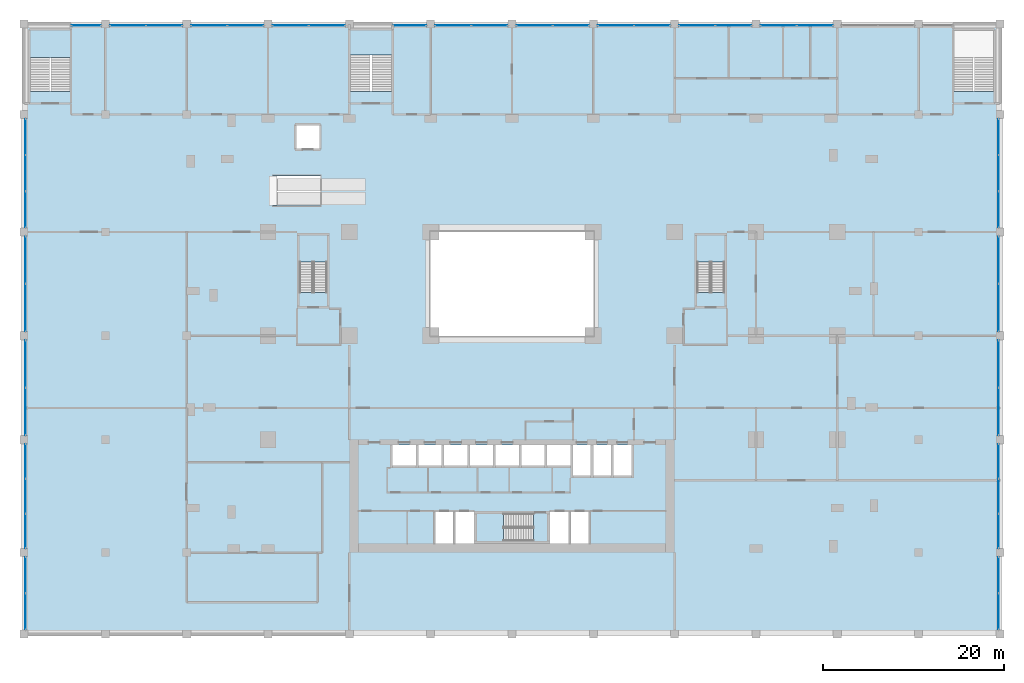
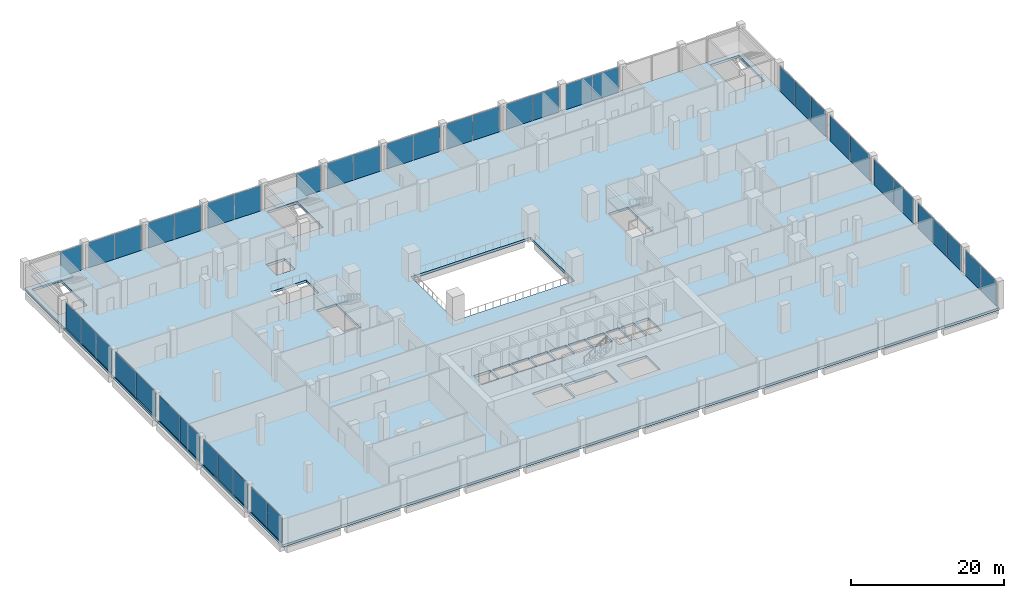
# One storey, part 13 of 22: 42 plates, 6 slabs, 25 elements without a shape of their own.
"""IFC4 building model written with IfcOpenShell, lengths in metres."""

from ifc_helpers import new_model, si_unit, direction, frame, origin, origin_2d, place, context, subcontext, project, spatial, polyline, rectangle, outline, extrude, material, layer, layer_set, type_object, element, aggregate, save


model = new_model("IFC4")

# Units and contexts
model_context = context("Model", 3, precision=1e-05, world=origin(), true_north=direction((0.0, 1.0)))
body_context = subcontext(model_context, "Body", "Model", "MODEL_VIEW")
ifc_project = project(units=[si_unit("LENGTHUNIT", "METRE"), si_unit("AREAUNIT", "SQUARE_METRE"), si_unit("VOLUMEUNIT", "CUBIC_METRE"), si_unit("PLANEANGLEUNIT", "RADIAN"), si_unit("MASSUNIT", "GRAM", prefix="KILO")], contexts=[model_context])

# Site, building, storey
site_placement = place(None, origin())
site = spatial("IfcSite", under=ifc_project, at=site_placement, CompositionType="ELEMENT")
building_placement = place(site_placement, origin())
building = spatial("IfcBuilding", under=site, at=building_placement, Name="Brigalow Station Residences", CompositionType="ELEMENT")
storey_placement = place(building_placement, frame((0.0, 0.0, 6.5)))
storey = spatial("IfcBuildingStorey", under=building, at=storey_placement, Name="L01", CompositionType="ELEMENT", Elevation=6.5)

# Curtain wall, plates
ifc_material_1 = material(Name="Aluminium", Category="aluminium")
ifc_layer_1 = layer(ifc_material_1, 0.199951171875)
ifc_layer_set_1 = layer_set([ifc_layer_1], Name="PODIUM UNITISED GLAZING CURTAIN WALL")
curtain_wall_type = type_object("IfcCurtainWallType", Name="PODIUM UNITISED GLAZING CURTAIN WALL", PredefinedType="NOTDEFINED", material=ifc_layer_set_1)
curtain_wall_1_placement = place(storey_placement, origin())
curtain_wall_1 = element("IfcCurtainWall", 1, at=curtain_wall_1_placement, inside=storey, type_object=curtain_wall_type, Name="L01/cw/podium-W-L01-13-1", PredefinedType="NOTDEFINED")
ifc_material_2 = material(Name="Laminated low-emissivity double-glazed unit")
ifc_layer_2 = layer(ifc_material_2, 0.0400390625)
ifc_layer_set_2 = layer_set([ifc_layer_2], Name="PODIUM UNITISED GLAZING PANEL 40")
plate_type = type_object("IfcPlateType", Name="PODIUM UNITISED GLAZING PANEL 40", PredefinedType="CURTAIN_PANEL", material=ifc_layer_set_2)
plate_1_placement = place(storey_placement, frame((89.85009765625, -6.5087890625, 0.0), z_axis=(0.0, 0.0, 1.0), x_axis=(0.0, 1.0, 0.0)))
plate_1 = element("IfcPlate", 2, at=plate_1_placement, type_object=plate_type, Name="L01/cw/podium-W-L01-13-1/P00-00", PredefinedType="CURTAIN_PANEL", context=body_context, shape_type="SweptSolid", body=[
    extrude(rectangle(XDim=3.952392578125, YDim=0.0400390625, at=origin_2d()), origin(), (0.0, 0.0, 1.0), 4.032958984375),
])
plate_2_placement = place(storey_placement, frame((89.85009765625, -2.4912109375, 0.0), z_axis=(0.0, 0.0, 1.0), x_axis=(0.0, 1.0, 0.0)))
plate_2 = element("IfcPlate", 3, at=plate_2_placement, type_object=plate_type, Name="L01/cw/podium-W-L01-13-1/P01-00", PredefinedType="CURTAIN_PANEL", context=body_context, shape_type="SweptSolid", body=[
    extrude(rectangle(XDim=3.952392578125, YDim=0.0400390625, at=origin_2d()), origin(), (0.0, 0.0, 1.0), 4.032958984375),
])
aggregate(curtain_wall_1, [plate_1, plate_2])

curtain_wall_2_placement = place(storey_placement, origin())
curtain_wall_2 = element("IfcCurtainWall", 4, at=curtain_wall_2_placement, inside=storey, type_object=curtain_wall_type, Name="L01/cw/podium-W-L01-13-2", PredefinedType="NOTDEFINED")
plate_3_placement = place(storey_placement, frame((89.85009765625, 2.399658203125, 0.0), z_axis=(0.0, 0.0, 1.0), x_axis=(0.0, 1.0, 0.0)))
plate_3 = element("IfcPlate", 5, at=plate_3_placement, type_object=plate_type, Name="L01/cw/podium-W-L01-13-2/P00-00", PredefinedType="CURTAIN_PANEL", context=body_context, shape_type="SweptSolid", body=[
    extrude(rectangle(XDim=3.769287109375, YDim=0.0400390625, at=origin_2d()), origin(), (0.0, 0.0, 1.0), 4.032958984375),
])
plate_4_placement = place(storey_placement, frame((89.85009765625, 6.25, 0.0), z_axis=(0.0, 0.0, 1.0), x_axis=(0.0, 1.0, 0.0)))
plate_4 = element("IfcPlate", 6, at=plate_4_placement, type_object=plate_type, Name="L01/cw/podium-W-L01-13-2/P01-00", PredefinedType="CURTAIN_PANEL", context=body_context, shape_type="SweptSolid", body=[
    extrude(rectangle(XDim=3.8017578125, YDim=0.0400390625, at=origin_2d()), origin(), (0.0, 0.0, 1.0), 4.032958984375),
])
plate_5_placement = place(storey_placement, frame((89.85009765625, 10.100341796875, 0.0), z_axis=(0.0, 0.0, 1.0), x_axis=(0.0, 1.0, 0.0)))
plate_5 = element("IfcPlate", 7, at=plate_5_placement, type_object=plate_type, Name="L01/cw/podium-W-L01-13-2/P02-00", PredefinedType="CURTAIN_PANEL", context=body_context, shape_type="SweptSolid", body=[
    extrude(rectangle(XDim=3.769287109375, YDim=0.0400390625, at=origin_2d()), origin(), (0.0, 0.0, 1.0), 4.032958984375),
])
aggregate(curtain_wall_2, [plate_3, plate_4, plate_5])

curtain_wall_3_placement = place(storey_placement, origin())
curtain_wall_3 = element("IfcCurtainWall", 8, at=curtain_wall_3_placement, inside=storey, type_object=curtain_wall_type, Name="L01/cw/podium-W-L01-13-3", PredefinedType="NOTDEFINED")
plate_6_placement = place(storey_placement, frame((89.85009765625, 15.6162109375, 0.0), z_axis=(0.0, 0.0, 1.0), x_axis=(0.0, 1.0, 0.0)))
plate_6 = element("IfcPlate", 9, at=plate_6_placement, type_object=plate_type, Name="L01/cw/podium-W-L01-13-3/P00-00", PredefinedType="CURTAIN_PANEL", context=body_context, shape_type="SweptSolid", body=[
    extrude(rectangle(XDim=5.202392578125, YDim=0.0400390625, at=origin_2d()), origin(), (0.0, 0.0, 1.0), 4.032958984375),
])
plate_7_placement = place(storey_placement, frame((89.85009765625, 20.8837890625, 0.0), z_axis=(0.0, 0.0, 1.0), x_axis=(0.0, 1.0, 0.0)))
plate_7 = element("IfcPlate", 10, at=plate_7_placement, type_object=plate_type, Name="L01/cw/podium-W-L01-13-3/P01-00", PredefinedType="CURTAIN_PANEL", context=body_context, shape_type="SweptSolid", body=[
    extrude(rectangle(XDim=5.202392578125, YDim=0.0400390625, at=origin_2d()), origin(), (0.0, 0.0, 1.0), 4.032958984375),
])
aggregate(curtain_wall_3, [plate_6, plate_7])

curtain_wall_4_placement = place(storey_placement, origin())
curtain_wall_4 = element("IfcCurtainWall", 11, at=curtain_wall_4_placement, inside=storey, type_object=curtain_wall_type, Name="L01/cw/podium-W-L01-13-4", PredefinedType="NOTDEFINED")
plate_8_placement = place(storey_placement, frame((89.85009765625, 27.1162109375, 0.0), z_axis=(0.0, 0.0, 1.0), x_axis=(0.0, 1.0, 0.0)))
plate_8 = element("IfcPlate", 12, at=plate_8_placement, type_object=plate_type, Name="L01/cw/podium-W-L01-13-4/P00-00", PredefinedType="CURTAIN_PANEL", context=body_context, shape_type="SweptSolid", body=[
    extrude(rectangle(XDim=5.202392578125, YDim=0.0400390625, at=origin_2d()), origin(), (0.0, 0.0, 1.0), 4.032958984375),
])
plate_9_placement = place(storey_placement, frame((89.85009765625, 32.3837890625, 0.0), z_axis=(0.0, 0.0, 1.0), x_axis=(0.0, 1.0, 0.0)))
plate_9 = element("IfcPlate", 13, at=plate_9_placement, type_object=plate_type, Name="L01/cw/podium-W-L01-13-4/P01-00", PredefinedType="CURTAIN_PANEL", context=body_context, shape_type="SweptSolid", body=[
    extrude(rectangle(XDim=5.202392578125, YDim=0.0400390625, at=origin_2d()), origin(), (0.0, 0.0, 1.0), 4.032958984375),
])
aggregate(curtain_wall_4, [plate_8, plate_9])

curtain_wall_5_placement = place(storey_placement, origin())
curtain_wall_5 = element("IfcCurtainWall", 14, at=curtain_wall_5_placement, inside=storey, type_object=curtain_wall_type, Name="L01/cw/podium-W-L01-13-5", PredefinedType="NOTDEFINED")
plate_10_placement = place(storey_placement, frame((89.85009765625, 37.98291015625, 0.0), z_axis=(0.0, 0.0, 1.0), x_axis=(0.0, 1.0, 0.0)))
plate_10 = element("IfcPlate", 15, at=plate_10_placement, type_object=plate_type, Name="L01/cw/podium-W-L01-13-5/P00-00", PredefinedType="CURTAIN_PANEL", context=body_context, shape_type="SweptSolid", body=[
    extrude(rectangle(XDim=3.935791015625, YDim=0.0400390625, at=origin_2d()), origin(), (0.0, 0.0, 1.0), 4.032958984375),
])
plate_11_placement = place(storey_placement, frame((89.85009765625, 42.0, 0.0), z_axis=(0.0, 0.0, 1.0), x_axis=(0.0, 1.0, 0.0)))
plate_11 = element("IfcPlate", 16, at=plate_11_placement, type_object=plate_type, Name="L01/cw/podium-W-L01-13-5/P01-00", PredefinedType="CURTAIN_PANEL", context=body_context, shape_type="SweptSolid", body=[
    extrude(rectangle(XDim=3.96826171875, YDim=0.0400390625, at=origin_2d()), origin(), (0.0, 0.0, 1.0), 4.032958984375),
])
plate_12_placement = place(storey_placement, frame((89.85009765625, 46.01708984375, 0.0), z_axis=(0.0, 0.0, 1.0), x_axis=(0.0, 1.0, 0.0)))
plate_12 = element("IfcPlate", 17, at=plate_12_placement, type_object=plate_type, Name="L01/cw/podium-W-L01-13-5/P02-00", PredefinedType="CURTAIN_PANEL", context=body_context, shape_type="SweptSolid", body=[
    extrude(rectangle(XDim=3.935791015625, YDim=0.0400390625, at=origin_2d()), origin(), (0.0, 0.0, 1.0), 4.032958984375),
])
aggregate(curtain_wall_5, [plate_10, plate_11, plate_12])

curtain_wall_6_placement = place(storey_placement, origin())
curtain_wall_6 = element("IfcCurtainWall", 18, at=curtain_wall_6_placement, inside=storey, type_object=curtain_wall_type, Name="L01/cw/podium-W-L01-19-8", PredefinedType="NOTDEFINED")
plate_13_placement = place(storey_placement, frame((69.5087890625, 58.35009765625, 0.0), z_axis=(0.0, 0.0, 1.0), x_axis=(-1.0, 0.0, 0.0)))
plate_13 = element("IfcPlate", 19, at=plate_13_placement, type_object=plate_type, Name="L01/cw/podium-W-L01-19-8/P00-00", PredefinedType="CURTAIN_PANEL", context=body_context, shape_type="SweptSolid", body=[
    extrude(rectangle(XDim=3.952392578125, YDim=0.0400390625, at=origin_2d()), origin(), (0.0, 0.0, 1.0), 4.032958984375),
])
plate_14_placement = place(storey_placement, frame((65.4912109375, 58.35009765625, 0.0), z_axis=(0.0, 0.0, 1.0), x_axis=(-1.0, 0.0, 0.0)))
plate_14 = element("IfcPlate", 20, at=plate_14_placement, type_object=plate_type, Name="L01/cw/podium-W-L01-19-8/P01-00", PredefinedType="CURTAIN_PANEL", context=body_context, shape_type="SweptSolid", body=[
    extrude(rectangle(XDim=3.952392578125, YDim=0.0400390625, at=origin_2d()), origin(), (0.0, 0.0, 1.0), 4.032958984375),
])
aggregate(curtain_wall_6, [plate_13, plate_14])

curtain_wall_7_placement = place(storey_placement, origin())
curtain_wall_7 = element("IfcCurtainWall", 21, at=curtain_wall_7_placement, inside=storey, type_object=curtain_wall_type, Name="L01/cw/podium-W-L01-19-9", PredefinedType="NOTDEFINED")
plate_15_placement = place(storey_placement, frame((60.5087890625, 58.35009765625, 0.0), z_axis=(0.0, 0.0, 1.0), x_axis=(-1.0, 0.0, 0.0)))
plate_15 = element("IfcPlate", 22, at=plate_15_placement, type_object=plate_type, Name="L01/cw/podium-W-L01-19-9/P00-00", PredefinedType="CURTAIN_PANEL", context=body_context, shape_type="SweptSolid", body=[
    extrude(rectangle(XDim=3.952392578125, YDim=0.0400390625, at=origin_2d()), origin(), (0.0, 0.0, 1.0), 4.032958984375),
])
plate_16_placement = place(storey_placement, frame((56.4912109375, 58.35009765625, 0.0), z_axis=(0.0, 0.0, 1.0), x_axis=(-1.0, 0.0, 0.0)))
plate_16 = element("IfcPlate", 23, at=plate_16_placement, type_object=plate_type, Name="L01/cw/podium-W-L01-19-9/P01-00", PredefinedType="CURTAIN_PANEL", context=body_context, shape_type="SweptSolid", body=[
    extrude(rectangle(XDim=3.952392578125, YDim=0.0400390625, at=origin_2d()), origin(), (0.0, 0.0, 1.0), 4.032958984375),
])
aggregate(curtain_wall_7, [plate_15, plate_16])

curtain_wall_8_placement = place(storey_placement, origin())
curtain_wall_8 = element("IfcCurtainWall", 24, at=curtain_wall_8_placement, inside=storey, type_object=curtain_wall_type, Name="L01/cw/podium-W-L01-19-10", PredefinedType="NOTDEFINED")
plate_17_placement = place(storey_placement, frame((51.5087890625, 58.35009765625, 0.0), z_axis=(0.0, 0.0, 1.0), x_axis=(-1.0, 0.0, 0.0)))
plate_17 = element("IfcPlate", 25, at=plate_17_placement, type_object=plate_type, Name="L01/cw/podium-W-L01-19-10/P00-00", PredefinedType="CURTAIN_PANEL", context=body_context, shape_type="SweptSolid", body=[
    extrude(rectangle(XDim=3.952392578125, YDim=0.0400390625, at=origin_2d()), origin(), (0.0, 0.0, 1.0), 4.032958984375),
])
plate_18_placement = place(storey_placement, frame((47.4912109375, 58.35009765625, 0.0), z_axis=(0.0, 0.0, 1.0), x_axis=(-1.0, 0.0, 0.0)))
plate_18 = element("IfcPlate", 26, at=plate_18_placement, type_object=plate_type, Name="L01/cw/podium-W-L01-19-10/P01-00", PredefinedType="CURTAIN_PANEL", context=body_context, shape_type="SweptSolid", body=[
    extrude(rectangle(XDim=3.952392578125, YDim=0.0400390625, at=origin_2d()), origin(), (0.0, 0.0, 1.0), 4.032958984375),
])
aggregate(curtain_wall_8, [plate_17, plate_18])

curtain_wall_9_placement = place(storey_placement, origin())
curtain_wall_9 = element("IfcCurtainWall", 27, at=curtain_wall_9_placement, inside=storey, type_object=curtain_wall_type, Name="L01/cw/podium-W-L01-19-11", PredefinedType="NOTDEFINED")
plate_19_placement = place(storey_placement, frame((42.5087890625, 58.35009765625, 0.0), z_axis=(0.0, 0.0, 1.0), x_axis=(-1.0, 0.0, 0.0)))
plate_19 = element("IfcPlate", 28, at=plate_19_placement, type_object=plate_type, Name="L01/cw/podium-W-L01-19-11/P00-00", PredefinedType="CURTAIN_PANEL", context=body_context, shape_type="SweptSolid", body=[
    extrude(rectangle(XDim=3.952392578125, YDim=0.0400390625, at=origin_2d()), origin(), (0.0, 0.0, 1.0), 4.032958984375),
])
plate_20_placement = place(storey_placement, frame((38.4912109375, 58.35009765625, 0.0), z_axis=(0.0, 0.0, 1.0), x_axis=(-1.0, 0.0, 0.0)))
plate_20 = element("IfcPlate", 29, at=plate_20_placement, type_object=plate_type, Name="L01/cw/podium-W-L01-19-11/P01-00", PredefinedType="CURTAIN_PANEL", context=body_context, shape_type="SweptSolid", body=[
    extrude(rectangle(XDim=3.952392578125, YDim=0.0400390625, at=origin_2d()), origin(), (0.0, 0.0, 1.0), 4.032958984375),
])
aggregate(curtain_wall_9, [plate_19, plate_20])

curtain_wall_10_placement = place(storey_placement, origin())
curtain_wall_10 = element("IfcCurtainWall", 30, at=curtain_wall_10_placement, inside=storey, type_object=curtain_wall_type, Name="L01/cw/podium-W-L01-19-12", PredefinedType="NOTDEFINED")
plate_21_placement = place(storey_placement, frame((33.5087890625, 58.35009765625, 0.0), z_axis=(0.0, 0.0, 1.0), x_axis=(-1.0, 0.0, 0.0)))
plate_21 = element("IfcPlate", 31, at=plate_21_placement, type_object=plate_type, Name="L01/cw/podium-W-L01-19-12/P00-00", PredefinedType="CURTAIN_PANEL", context=body_context, shape_type="SweptSolid", body=[
    extrude(rectangle(XDim=3.952392578125, YDim=0.0400390625, at=origin_2d()), origin(), (0.0, 0.0, 1.0), 4.032958984375),
])
plate_22_placement = place(storey_placement, frame((29.4912109375, 58.35009765625, 0.0), z_axis=(0.0, 0.0, 1.0), x_axis=(-1.0, 0.0, 0.0)))
plate_22 = element("IfcPlate", 32, at=plate_22_placement, type_object=plate_type, Name="L01/cw/podium-W-L01-19-12/P01-00", PredefinedType="CURTAIN_PANEL", context=body_context, shape_type="SweptSolid", body=[
    extrude(rectangle(XDim=3.952392578125, YDim=0.0400390625, at=origin_2d()), origin(), (0.0, 0.0, 1.0), 4.032958984375),
])
aggregate(curtain_wall_10, [plate_21, plate_22])

# Curtain wall, plate
curtain_wall_11_placement = place(storey_placement, origin())
curtain_wall_11 = element("IfcCurtainWall", 33, at=curtain_wall_11_placement, inside=storey, type_object=curtain_wall_type, Name="L01/cw/podium-W-L01-19-13", PredefinedType="NOTDEFINED")
plate_23_placement = place(storey_placement, frame((24.675048828125, 58.35009765625, 0.0), z_axis=(0.0, 0.0, 1.0), x_axis=(-1.0, 0.0, 0.0)))
plate_23 = element("IfcPlate", 34, at=plate_23_placement, type_object=plate_type, Name="L01/cw/podium-W-L01-19-13/P00-00", PredefinedType="CURTAIN_PANEL", context=body_context, shape_type="SweptSolid", body=[
    extrude(rectangle(XDim=3.6201171875, YDim=0.0400390625, at=origin_2d()), origin(), (0.0, 0.0, 1.0), 4.032958984375),
])
aggregate(curtain_wall_11, [plate_23])

# Curtain wall, plates
curtain_wall_12_placement = place(storey_placement, origin())
curtain_wall_12 = element("IfcCurtainWall", 35, at=curtain_wall_12_placement, inside=storey, type_object=curtain_wall_type, Name="L01/cw/podium-W-L01-19-14", PredefinedType="NOTDEFINED")
plate_24_placement = place(storey_placement, frame((15.5087890625, 58.35009765625, 0.0), z_axis=(0.0, 0.0, 1.0), x_axis=(-1.0, 0.0, 0.0)))
plate_24 = element("IfcPlate", 36, at=plate_24_placement, type_object=plate_type, Name="L01/cw/podium-W-L01-19-14/P00-00", PredefinedType="CURTAIN_PANEL", context=body_context, shape_type="SweptSolid", body=[
    extrude(rectangle(XDim=3.952392578125, YDim=0.0400390625, at=origin_2d()), origin(), (0.0, 0.0, 1.0), 4.032958984375),
])
plate_25_placement = place(storey_placement, frame((11.4912109375, 58.35009765625, 0.0), z_axis=(0.0, 0.0, 1.0), x_axis=(-1.0, 0.0, 0.0)))
plate_25 = element("IfcPlate", 37, at=plate_25_placement, type_object=plate_type, Name="L01/cw/podium-W-L01-19-14/P01-00", PredefinedType="CURTAIN_PANEL", context=body_context, shape_type="SweptSolid", body=[
    extrude(rectangle(XDim=3.952392578125, YDim=0.0400390625, at=origin_2d()), origin(), (0.0, 0.0, 1.0), 4.032958984375),
])
aggregate(curtain_wall_12, [plate_24, plate_25])

curtain_wall_13_placement = place(storey_placement, origin())
curtain_wall_13 = element("IfcCurtainWall", 38, at=curtain_wall_13_placement, inside=storey, type_object=curtain_wall_type, Name="L01/cw/podium-W-L01-19-15", PredefinedType="NOTDEFINED")
plate_26_placement = place(storey_placement, frame((6.5087890625, 58.35009765625, 0.0), z_axis=(0.0, 0.0, 1.0), x_axis=(-1.0, 0.0, 0.0)))
plate_26 = element("IfcPlate", 39, at=plate_26_placement, type_object=plate_type, Name="L01/cw/podium-W-L01-19-15/P00-00", PredefinedType="CURTAIN_PANEL", context=body_context, shape_type="SweptSolid", body=[
    extrude(rectangle(XDim=3.952392578125, YDim=0.0400390625, at=origin_2d()), origin(), (0.0, 0.0, 1.0), 4.032958984375),
])
plate_27_placement = place(storey_placement, frame((2.4912109375, 58.35009765625, 0.0), z_axis=(0.0, 0.0, 1.0), x_axis=(-1.0, 0.0, 0.0)))
plate_27 = element("IfcPlate", 40, at=plate_27_placement, type_object=plate_type, Name="L01/cw/podium-W-L01-19-15/P01-00", PredefinedType="CURTAIN_PANEL", context=body_context, shape_type="SweptSolid", body=[
    extrude(rectangle(XDim=3.952392578125, YDim=0.0400390625, at=origin_2d()), origin(), (0.0, 0.0, 1.0), 4.032958984375),
])
aggregate(curtain_wall_13, [plate_26, plate_27])

curtain_wall_14_placement = place(storey_placement, origin())
curtain_wall_14 = element("IfcCurtainWall", 41, at=curtain_wall_14_placement, inside=storey, type_object=curtain_wall_type, Name="L01/cw/podium-W-L01-19-16", PredefinedType="NOTDEFINED")
plate_28_placement = place(storey_placement, frame((-2.4912109375, 58.35009765625, 0.0), z_axis=(0.0, 0.0, 1.0), x_axis=(-1.0, 0.0, 0.0)))
plate_28 = element("IfcPlate", 42, at=plate_28_placement, type_object=plate_type, Name="L01/cw/podium-W-L01-19-16/P00-00", PredefinedType="CURTAIN_PANEL", context=body_context, shape_type="SweptSolid", body=[
    extrude(rectangle(XDim=3.952392578125, YDim=0.0400390625, at=origin_2d()), origin(), (0.0, 0.0, 1.0), 4.032958984375),
])
plate_29_placement = place(storey_placement, frame((-6.5087890625, 58.35009765625, 0.0), z_axis=(0.0, 0.0, 1.0), x_axis=(-1.0, 0.0, 0.0)))
plate_29 = element("IfcPlate", 43, at=plate_29_placement, type_object=plate_type, Name="L01/cw/podium-W-L01-19-16/P01-00", PredefinedType="CURTAIN_PANEL", context=body_context, shape_type="SweptSolid", body=[
    extrude(rectangle(XDim=3.952392578125, YDim=0.0400390625, at=origin_2d()), origin(), (0.0, 0.0, 1.0), 4.032958984375),
])
aggregate(curtain_wall_14, [plate_28, plate_29])

# Curtain wall, plate
curtain_wall_15_placement = place(storey_placement, origin())
curtain_wall_15 = element("IfcCurtainWall", 44, at=curtain_wall_15_placement, inside=storey, type_object=curtain_wall_type, Name="L01/cw/podium-W-L01-19-17", PredefinedType="NOTDEFINED")
plate_30_placement = place(storey_placement, frame((-11.125, 58.35009765625, 0.0), z_axis=(0.0, 0.0, 1.0), x_axis=(-1.0, 0.0, 0.0)))
plate_30 = element("IfcPlate", 45, at=plate_30_placement, type_object=plate_type, Name="L01/cw/podium-W-L01-19-17/P00-00", PredefinedType="CURTAIN_PANEL", context=body_context, shape_type="SweptSolid", body=[
    extrude(rectangle(XDim=3.219970703125, YDim=0.0400390625, at=origin_2d()), origin(), (0.0, 0.0, 1.0), 4.032958984375),
])
aggregate(curtain_wall_15, [plate_30])

# Curtain wall, plates
curtain_wall_16_placement = place(storey_placement, origin())
curtain_wall_16 = element("IfcCurtainWall", 46, at=curtain_wall_16_placement, inside=storey, type_object=curtain_wall_type, Name="L01/cw/podium-W-L01-31-18", PredefinedType="NOTDEFINED")
plate_31_placement = place(storey_placement, frame((-17.85009765625, 46.01708984375, 0.0), z_axis=(0.0, 0.0, 1.0), x_axis=(0.0, -1.0, 0.0)))
plate_31 = element("IfcPlate", 47, at=plate_31_placement, type_object=plate_type, Name="L01/cw/podium-W-L01-31-18/P00-00", PredefinedType="CURTAIN_PANEL", context=body_context, shape_type="SweptSolid", body=[
    extrude(rectangle(XDim=3.935791015625, YDim=0.0400390625, at=origin_2d()), origin(), (0.0, 0.0, 1.0), 4.032958984375),
])
plate_32_placement = place(storey_placement, frame((-17.85009765625, 42.0, 0.0), z_axis=(0.0, 0.0, 1.0), x_axis=(0.0, -1.0, 0.0)))
plate_32 = element("IfcPlate", 48, at=plate_32_placement, type_object=plate_type, Name="L01/cw/podium-W-L01-31-18/P01-00", PredefinedType="CURTAIN_PANEL", context=body_context, shape_type="SweptSolid", body=[
    extrude(rectangle(XDim=3.96826171875, YDim=0.0400390625, at=origin_2d()), origin(), (0.0, 0.0, 1.0), 4.032958984375),
])
plate_33_placement = place(storey_placement, frame((-17.85009765625, 37.98291015625, 0.0), z_axis=(0.0, 0.0, 1.0), x_axis=(0.0, -1.0, 0.0)))
plate_33 = element("IfcPlate", 49, at=plate_33_placement, type_object=plate_type, Name="L01/cw/podium-W-L01-31-18/P02-00", PredefinedType="CURTAIN_PANEL", context=body_context, shape_type="SweptSolid", body=[
    extrude(rectangle(XDim=3.935791015625, YDim=0.0400390625, at=origin_2d()), origin(), (0.0, 0.0, 1.0), 4.032958984375),
])
aggregate(curtain_wall_16, [plate_31, plate_32, plate_33])

curtain_wall_17_placement = place(storey_placement, origin())
curtain_wall_17 = element("IfcCurtainWall", 50, at=curtain_wall_17_placement, inside=storey, type_object=curtain_wall_type, Name="L01/cw/podium-W-L01-31-19", PredefinedType="NOTDEFINED")
plate_34_placement = place(storey_placement, frame((-17.85009765625, 32.3837890625, 0.0), z_axis=(0.0, 0.0, 1.0), x_axis=(0.0, -1.0, 0.0)))
plate_34 = element("IfcPlate", 51, at=plate_34_placement, type_object=plate_type, Name="L01/cw/podium-W-L01-31-19/P00-00", PredefinedType="CURTAIN_PANEL", context=body_context, shape_type="SweptSolid", body=[
    extrude(rectangle(XDim=5.202392578125, YDim=0.0400390625, at=origin_2d()), origin(), (0.0, 0.0, 1.0), 4.032958984375),
])
plate_35_placement = place(storey_placement, frame((-17.85009765625, 27.1162109375, 0.0), z_axis=(0.0, 0.0, 1.0), x_axis=(0.0, -1.0, 0.0)))
plate_35 = element("IfcPlate", 52, at=plate_35_placement, type_object=plate_type, Name="L01/cw/podium-W-L01-31-19/P01-00", PredefinedType="CURTAIN_PANEL", context=body_context, shape_type="SweptSolid", body=[
    extrude(rectangle(XDim=5.202392578125, YDim=0.0400390625, at=origin_2d()), origin(), (0.0, 0.0, 1.0), 4.032958984375),
])
aggregate(curtain_wall_17, [plate_34, plate_35])

curtain_wall_18_placement = place(storey_placement, origin())
curtain_wall_18 = element("IfcCurtainWall", 53, at=curtain_wall_18_placement, inside=storey, type_object=curtain_wall_type, Name="L01/cw/podium-W-L01-31-20", PredefinedType="NOTDEFINED")
plate_36_placement = place(storey_placement, frame((-17.85009765625, 20.8837890625, 0.0), z_axis=(0.0, 0.0, 1.0), x_axis=(0.0, -1.0, 0.0)))
plate_36 = element("IfcPlate", 54, at=plate_36_placement, type_object=plate_type, Name="L01/cw/podium-W-L01-31-20/P00-00", PredefinedType="CURTAIN_PANEL", context=body_context, shape_type="SweptSolid", body=[
    extrude(rectangle(XDim=5.202392578125, YDim=0.0400390625, at=origin_2d()), origin(), (0.0, 0.0, 1.0), 4.032958984375),
])
plate_37_placement = place(storey_placement, frame((-17.85009765625, 15.6162109375, 0.0), z_axis=(0.0, 0.0, 1.0), x_axis=(0.0, -1.0, 0.0)))
plate_37 = element("IfcPlate", 55, at=plate_37_placement, type_object=plate_type, Name="L01/cw/podium-W-L01-31-20/P01-00", PredefinedType="CURTAIN_PANEL", context=body_context, shape_type="SweptSolid", body=[
    extrude(rectangle(XDim=5.202392578125, YDim=0.0400390625, at=origin_2d()), origin(), (0.0, 0.0, 1.0), 4.032958984375),
])
aggregate(curtain_wall_18, [plate_36, plate_37])

curtain_wall_19_placement = place(storey_placement, origin())
curtain_wall_19 = element("IfcCurtainWall", 56, at=curtain_wall_19_placement, inside=storey, type_object=curtain_wall_type, Name="L01/cw/podium-W-L01-31-21", PredefinedType="NOTDEFINED")
plate_38_placement = place(storey_placement, frame((-17.85009765625, 10.100341796875, 0.0), z_axis=(0.0, 0.0, 1.0), x_axis=(0.0, -1.0, 0.0)))
plate_38 = element("IfcPlate", 57, at=plate_38_placement, type_object=plate_type, Name="L01/cw/podium-W-L01-31-21/P00-00", PredefinedType="CURTAIN_PANEL", context=body_context, shape_type="SweptSolid", body=[
    extrude(rectangle(XDim=3.769287109375, YDim=0.0400390625, at=origin_2d()), origin(), (0.0, 0.0, 1.0), 4.032958984375),
])
plate_39_placement = place(storey_placement, frame((-17.85009765625, 6.25, 0.0), z_axis=(0.0, 0.0, 1.0), x_axis=(0.0, -1.0, 0.0)))
plate_39 = element("IfcPlate", 58, at=plate_39_placement, type_object=plate_type, Name="L01/cw/podium-W-L01-31-21/P01-00", PredefinedType="CURTAIN_PANEL", context=body_context, shape_type="SweptSolid", body=[
    extrude(rectangle(XDim=3.8017578125, YDim=0.0400390625, at=origin_2d()), origin(), (0.0, 0.0, 1.0), 4.032958984375),
])
plate_40_placement = place(storey_placement, frame((-17.85009765625, 2.399658203125, 0.0), z_axis=(0.0, 0.0, 1.0), x_axis=(0.0, -1.0, 0.0)))
plate_40 = element("IfcPlate", 59, at=plate_40_placement, type_object=plate_type, Name="L01/cw/podium-W-L01-31-21/P02-00", PredefinedType="CURTAIN_PANEL", context=body_context, shape_type="SweptSolid", body=[
    extrude(rectangle(XDim=3.769287109375, YDim=0.0400390625, at=origin_2d()), origin(), (0.0, 0.0, 1.0), 4.032958984375),
])
aggregate(curtain_wall_19, [plate_38, plate_39, plate_40])

curtain_wall_20_placement = place(storey_placement, origin())
curtain_wall_20 = element("IfcCurtainWall", 60, at=curtain_wall_20_placement, inside=storey, type_object=curtain_wall_type, Name="L01/cw/podium-W-L01-31-22", PredefinedType="NOTDEFINED")
plate_41_placement = place(storey_placement, frame((-17.85009765625, -2.4912109375, 0.0), z_axis=(0.0, 0.0, 1.0), x_axis=(0.0, -1.0, 0.0)))
plate_41 = element("IfcPlate", 61, at=plate_41_placement, type_object=plate_type, Name="L01/cw/podium-W-L01-31-22/P00-00", PredefinedType="CURTAIN_PANEL", context=body_context, shape_type="SweptSolid", body=[
    extrude(rectangle(XDim=3.952392578125, YDim=0.0400390625, at=origin_2d()), origin(), (0.0, 0.0, 1.0), 4.032958984375),
])
plate_42_placement = place(storey_placement, frame((-17.85009765625, -6.5087890625, 0.0), z_axis=(0.0, 0.0, 1.0), x_axis=(0.0, -1.0, 0.0)))
plate_42 = element("IfcPlate", 62, at=plate_42_placement, type_object=plate_type, Name="L01/cw/podium-W-L01-31-22/P01-00", PredefinedType="CURTAIN_PANEL", context=body_context, shape_type="SweptSolid", body=[
    extrude(rectangle(XDim=3.952392578125, YDim=0.0400390625, at=origin_2d()), origin(), (0.0, 0.0, 1.0), 4.032958984375),
])
aggregate(curtain_wall_20, [plate_41, plate_42])

# Slab
ifc_material_3 = material(Name="Concrete C50", Category="concrete")
ifc_layer_3 = layer(ifc_material_3, 0.402099609375)
ifc_layer_set_3 = layer_set([ifc_layer_3], Name="REINFORCED FLAT PLATE 402 C50")
slab_type_1 = type_object("IfcSlabType", Name="REINFORCED FLAT PLATE 402 C50", PredefinedType="FLOOR", material=ifc_layer_set_3)
slab_1_placement = place(storey_placement, frame((0.0, 0.0, -0.402099609375)))
element("IfcSlab", 63, at=slab_1_placement, inside=storey, type_object=slab_type_1, Name="FLOOR SLAB L01", PredefinedType="FLOOR", context=body_context, shape_type="SweptSolid", body=[
    extrude(outline(polyline([(-18.0, -9.0), (90.0, -9.0), (90.0, 58.5), (-18.0, 58.5), (-18.0, -9.0)]), holes=[polyline([(-12.929931640625, 57.794921875), (-12.929931640625, 51.030029296875), (-17.294921875, 51.030029296875), (-17.294921875, 57.794921875), (-12.929931640625, 57.794921875)]), polyline([(9.5, 41.699951171875), (14.780029296875, 41.699951171875), (14.780029296875, 38.39990234375), (9.5, 38.39990234375), (9.5, 41.699951171875)]), polyline([(14.800048828125, 47.39990234375), (14.800048828125, 44.60009765625), (12.0, 44.60009765625), (12.0, 47.39990234375), (14.800048828125, 47.39990234375)]), polyline([(15.4951171875, 35.094970703125), (15.4951171875, 28.804931640625), (12.5048828125, 28.804931640625), (12.5048828125, 35.094970703125), (15.4951171875, 35.094970703125)]), polyline([(18.1298828125, 57.794921875), (22.669921875, 57.794921875), (22.669921875, 51.030029296875), (18.1298828125, 51.030029296875), (18.1298828125, 57.794921875)]), polyline([(25.35009765625, 11.89990234375), (25.35009765625, 9.64990234375), (22.800048828125, 9.64990234375), (22.800048828125, 11.89990234375), (25.35009765625, 11.89990234375)]), polyline([(27.0, 35.5), (45.0, 35.5), (45.0, 24.0), (27.0, 24.0), (27.0, 35.5)]), polyline([(28.199951171875, 11.89990234375), (28.199951171875, 9.64990234375), (25.64990234375, 9.64990234375), (25.64990234375, 11.89990234375), (28.199951171875, 11.89990234375)]), polyline([(28.5, 11.89990234375), (31.050048828125, 11.89990234375), (31.050048828125, 9.64990234375), (28.5, 9.64990234375), (28.5, 11.89990234375)]), polyline([(29.60009765625, 1.0), (27.39990234375, 1.0), (27.39990234375, 4.60009765625), (29.60009765625, 4.60009765625), (31.800048828125, 4.60009765625), (31.800048828125, 1.0), (29.60009765625, 1.0)]), polyline([(32.10498046875, 4.294921875), (38.39501953125, 4.294921875), (38.39501953125, 1.304931640625), (32.10498046875, 1.304931640625), (32.10498046875, 4.294921875)]), polyline([(33.89990234375, 11.89990234375), (33.89990234375, 9.64990234375), (31.35009765625, 9.64990234375), (31.35009765625, 11.89990234375), (33.89990234375, 11.89990234375)]), polyline([(34.199951171875, 11.89990234375), (36.75, 11.89990234375), (36.75, 9.64990234375), (34.199951171875, 9.64990234375), (34.199951171875, 11.89990234375)]), polyline([(39.60009765625, 11.89990234375), (39.60009765625, 9.64990234375), (37.050048828125, 9.64990234375), (37.050048828125, 11.89990234375), (39.60009765625, 11.89990234375)]), polyline([(40.199951171875, 1.0), (40.199951171875, 4.60009765625), (42.39990234375, 4.60009765625), (44.60009765625, 4.60009765625), (44.60009765625, 1.0), (42.39990234375, 1.0), (40.199951171875, 1.0)]), polyline([(42.449951171875, 11.89990234375), (42.449951171875, 9.64990234375), (39.89990234375, 9.64990234375), (39.89990234375, 11.89990234375), (42.449951171875, 11.89990234375)]), polyline([(42.75, 11.89990234375), (44.699951171875, 11.89990234375), (44.699951171875, 8.550048828125), (42.75, 8.550048828125), (42.75, 11.89990234375)]), polyline([(46.949951171875, 11.89990234375), (46.949951171875, 8.550048828125), (45.0, 8.550048828125), (45.0, 11.89990234375), (46.949951171875, 11.89990234375)]), polyline([(49.199951171875, 11.89990234375), (49.199951171875, 8.550048828125), (47.25, 8.550048828125), (47.25, 11.89990234375), (49.199951171875, 11.89990234375)]), polyline([(59.4951171875, 35.094970703125), (59.4951171875, 28.804931640625), (56.5048828125, 28.804931640625), (56.5048828125, 35.094970703125), (59.4951171875, 35.094970703125)]), polyline([(89.2939453125, 57.794921875), (89.2939453125, 51.030029296875), (84.929931640625, 51.030029296875), (84.929931640625, 57.794921875), (89.2939453125, 57.794921875)])]), origin(), (0.0, 0.0, 1.0), 0.402099609375),
])

# Stair, slab
ifc_material_4 = material(Name="Concrete C50", Category="concrete")
stair_type_1 = type_object("IfcStairType", Name="STAIR EXIT 2087 2 FLIGHTS", PredefinedType="TWO_STRAIGHT_RUN_STAIR", material=ifc_material_4)
stair_1_placement = place(storey_placement, origin())
stair_1 = element("IfcStair", 64, at=stair_1_placement, inside=storey, type_object=stair_type_1, Name="Exit stair ST-4", PredefinedType="TWO_STRAIGHT_RUN_STAIR")
ifc_material_5 = material(Name="Concrete C50", Category="concrete")
ifc_layer_4 = layer(ifc_material_5, 0.199951171875)
ifc_layer_set_4 = layer_set([ifc_layer_4], Name="STAIR LANDING")
slab_type_2 = type_object("IfcSlabType", Name="STAIR LANDING", PredefinedType="LANDING", material=ifc_layer_set_4)
slab_2_placement = place(storey_placement, frame((0.0, 0.0, 2.050048828125)))
slab_2 = element("IfcSlab", 65, at=slab_2_placement, type_object=slab_type_2, Name="ST-4 landing 1", PredefinedType="LANDING", context=body_context, shape_type="SweptSolid", body=[
    extrude(outline(polyline([(-17.39990234375, 54.804931640625), (-12.824951171875, 54.804931640625), (-12.824951171875, 57.89990234375), (-17.39990234375, 57.89990234375), (-17.39990234375, 54.804931640625)])), origin(), (0.0, 0.0, 1.0), 0.199951171875),
])
aggregate(stair_1, [slab_2])

ifc_material_6 = material(Name="Concrete C50", Category="concrete")
stair_type_2 = type_object("IfcStairType", Name="STAIR EXIT 2175 2 FLIGHTS", PredefinedType="TWO_STRAIGHT_RUN_STAIR", material=ifc_material_6)
stair_2_placement = place(storey_placement, origin())
stair_2 = element("IfcStair", 66, at=stair_2_placement, inside=storey, type_object=stair_type_2, Name="Exit stair ST-6", PredefinedType="TWO_STRAIGHT_RUN_STAIR")
slab_3_placement = place(storey_placement, frame((0.0, 0.0, 2.050048828125)))
slab_3 = element("IfcSlab", 67, at=slab_3_placement, type_object=slab_type_2, Name="ST-6 landing 1", PredefinedType="LANDING", context=body_context, shape_type="SweptSolid", body=[
    extrude(outline(polyline([(18.02490234375, 55.074951171875), (22.77490234375, 55.074951171875), (22.77490234375, 57.89990234375), (18.02490234375, 57.89990234375), (18.02490234375, 55.074951171875)])), origin(), (0.0, 0.0, 1.0), 0.199951171875),
])
aggregate(stair_2, [slab_3])

ifc_material_7 = material(Name="Concrete C50", Category="concrete")
stair_type_3 = type_object("IfcStairType", Name="EXIT STAIR 1400 2 FLIGHT", PredefinedType="HALF_TURN_STAIR", material=ifc_material_7)
stair_3_placement = place(storey_placement, origin())
stair_3 = element("IfcStair", 68, at=stair_3_placement, inside=storey, type_object=stair_type_3, Name="EXIT STAIR S2 L01", PredefinedType="HALF_TURN_STAIR")
ifc_material_8 = material(Name="Concrete C50", Category="concrete")
ifc_layer_5 = layer(ifc_material_8, 0.199951171875)
ifc_layer_set_5 = layer_set([ifc_layer_5], Name="STAIR LANDING 200")
slab_type_3 = type_object("IfcSlabType", Name="STAIR LANDING 200", PredefinedType="LANDING", material=ifc_layer_set_5)
slab_4_placement = place(storey_placement, frame((0.0, 0.0, 2.050048828125)))
slab_4 = element("IfcSlab", 69, at=slab_4_placement, type_object=slab_type_3, Name="ST-2 landing 1", PredefinedType="LANDING", context=body_context, shape_type="SweptSolid", body=[
    extrude(outline(polyline([(32.0, 1.199951171875), (35.0400390625, 1.199951171875), (35.0400390625, 4.39990234375), (32.0, 4.39990234375), (32.0, 1.199951171875)])), origin(), (0.0, 0.0, 1.0), 0.199951171875),
])
aggregate(stair_3, [slab_4])

stair_4_placement = place(storey_placement, origin())
stair_4 = element("IfcStair", 70, at=stair_4_placement, inside=storey, type_object=stair_type_3, Name="EXIT STAIR S1 L01", PredefinedType="HALF_TURN_STAIR")
slab_5_placement = place(storey_placement, frame((0.0, 0.0, 2.050048828125)))
slab_5 = element("IfcSlab", 71, at=slab_5_placement, type_object=slab_type_3, Name="ST-1 landing 1", PredefinedType="LANDING", context=body_context, shape_type="SweptSolid", body=[
    extrude(outline(polyline([(12.39990234375, 32.159912109375), (15.60009765625, 32.159912109375), (15.60009765625, 35.199951171875), (12.39990234375, 35.199951171875), (12.39990234375, 32.159912109375)])), origin(), (0.0, 0.0, 1.0), 0.199951171875),
])
aggregate(stair_4, [slab_5])

stair_5_placement = place(storey_placement, origin())
stair_5 = element("IfcStair", 72, at=stair_5_placement, inside=storey, type_object=stair_type_3, Name="EXIT STAIR S3 L01", PredefinedType="HALF_TURN_STAIR")
slab_6_placement = place(storey_placement, frame((0.0, 0.0, 2.050048828125)))
slab_6 = element("IfcSlab", 73, at=slab_6_placement, type_object=slab_type_3, Name="ST-3 landing 1", PredefinedType="LANDING", context=body_context, shape_type="SweptSolid", body=[
    extrude(outline(polyline([(56.39990234375, 32.159912109375), (59.60009765625, 32.159912109375), (59.60009765625, 35.199951171875), (56.39990234375, 35.199951171875), (56.39990234375, 32.159912109375)])), origin(), (0.0, 0.0, 1.0), 0.199951171875),
])
aggregate(stair_5, [slab_6])

save(model, "model.ifc")
